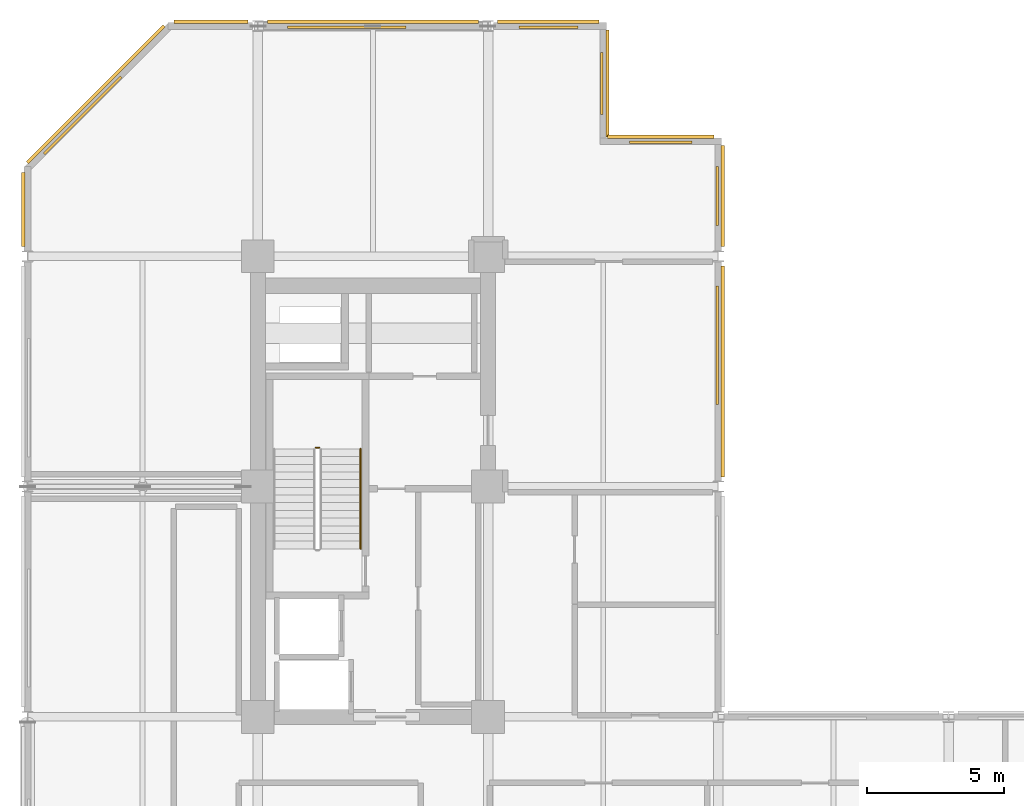
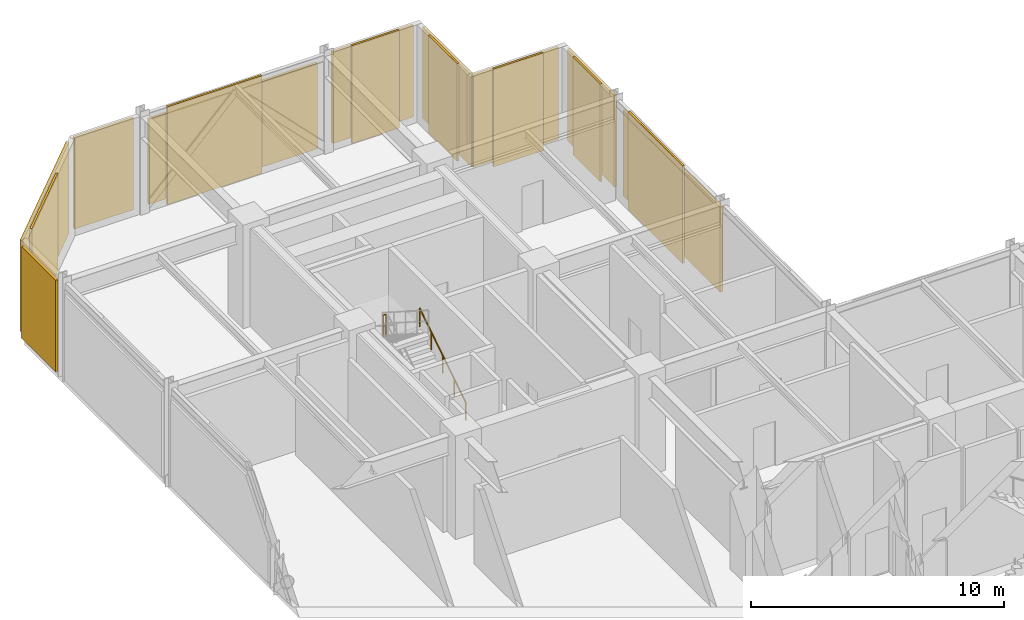
# One storey, part 10 of 10: 9 shading devices, 7 coverings, 2 railings.
"""IFC4 building model written with IfcOpenShell, lengths in metres."""

from ifc_helpers import new_model, si_unit, direction, frame, origin, origin_2d, place, context, subcontext, project, spatial, rectangle, circle, extrude, material, layer, layer_set, type_object, element, save


model = new_model("IFC4")

# Units and contexts
model_context = context("Model", 3, precision=1e-05, world=origin(), true_north=direction((0.0, 1.0)))
body_context = subcontext(model_context, "Body", "Model", "MODEL_VIEW")
ifc_project = project(units=[si_unit("LENGTHUNIT", "METRE"), si_unit("AREAUNIT", "SQUARE_METRE"), si_unit("VOLUMEUNIT", "CUBIC_METRE"), si_unit("PLANEANGLEUNIT", "RADIAN"), si_unit("MASSUNIT", "GRAM", prefix="KILO")], contexts=[model_context])

# Site, building, storey
site_placement = place(None, origin())
site = spatial("IfcSite", under=ifc_project, at=site_placement, CompositionType="ELEMENT")
building_placement = place(site_placement, origin())
building = spatial("IfcBuilding", under=site, at=building_placement, Name="Nerrivon Quay Data Exchange", CompositionType="ELEMENT")
storey_placement = place(building_placement, frame((0.0, 0.0, 162.300048828125)))
storey = spatial("IfcBuildingStorey", under=building, at=storey_placement, Name="L38", CompositionType="ELEMENT", Elevation=162.300048828125)

# Coverings
ifc_material_1 = material(Name="Architectural terracotta ceramic", Category="masonry")
ifc_layer_1 = layer(ifc_material_1, 0.090087890625)
ifc_layer_set_1 = layer_set([ifc_layer_1], Name="Architectural terracotta ceramic")
covering_type = type_object("IfcCoveringType", Name="COV-SCR-TERR", PredefinedType="CLADDING", material=ifc_layer_set_1)
covering_1_placement = place(storey_placement, frame((2.0078125, 47.144287109375, 0.0), z_axis=(0.0, 0.0, 1.0), x_axis=(0.707106781187, 0.707106781187, 0.0)))
element("IfcCovering", 1, at=covering_1_placement, inside=storey, type_object=covering_type, Name="L38 Perforated Terracotta SOLAR SCREEN Cassette", PredefinedType="CLADDING", context=body_context, shape_type="SweptSolid", body=[
    extrude(rectangle(XDim=3.970947265625, YDim=0.090087890625, at=origin_2d()), origin(), (0.0, 0.0, 1.0), 4.72509765625),
])
covering_2_placement = place(storey_placement, frame((11.639892578125, 50.35498046875, 0.0), z_axis=(0.0, 0.0, 1.0), x_axis=(1.0, 0.0, 0.0)))
element("IfcCovering", 2, at=covering_2_placement, inside=storey, type_object=covering_type, Name="L38 Perforated Terracotta SOLAR SCREEN Cassette", PredefinedType="CLADDING", context=body_context, shape_type="SweptSolid", body=[
    extrude(rectangle(XDim=4.320068359375, YDim=0.090087890625, at=origin_2d()), origin(), (0.0, 0.0, 1.0), 4.72509765625),
])
covering_3_placement = place(storey_placement, frame((19.0, 50.35498046875, 0.0), z_axis=(0.0, 0.0, 1.0), x_axis=(1.0, 0.0, 0.0)))
element("IfcCovering", 3, at=covering_3_placement, inside=storey, type_object=covering_type, Name="L38 Perforated Terracotta SOLAR SCREEN Cassette", PredefinedType="CLADDING", context=body_context, shape_type="SweptSolid", body=[
    extrude(rectangle(XDim=2.159912109375, YDim=0.090087890625, at=origin_2d()), origin(), (0.0, 0.0, 1.0), 4.72509765625),
])
for number, where, z_axis, x_axis, name in (
    (4, (20.955078125, 48.300048828125, 0.0), (0.0, 0.0, 1.0), (0.0, -1.0, 0.0), "L38 Perforated Terracotta SOLAR SCREEN Cassette"),
    (5, (23.10009765625, 46.155029296875, 0.0), (0.0, 0.0, 1.0), (1.0, 0.0, 0.0), "L38 Perforated Terracotta SOLAR SCREEN Cassette"),
):
    element("IfcCovering", number, at=place(storey_placement, frame(where, z_axis=z_axis, x_axis=x_axis)), inside=storey, type_object=covering_type, Name=name, PredefinedType="CLADDING", context=body_context, shape_type="SweptSolid", body=[
        extrude(rectangle(XDim=2.26806640625, YDim=0.090087890625, at=origin_2d()), origin(), (0.0, 0.0, 1.0), 4.72509765625),
    ])
covering_4_placement = place(storey_placement, frame((25.155029296875, 44.199951171875, 0.0), z_axis=(0.0, 0.0, 1.0), x_axis=(0.0, -1.0, 0.0)))
element("IfcCovering", 6, at=covering_4_placement, inside=storey, type_object=covering_type, Name="L38 Perforated Terracotta SOLAR SCREEN Cassette", PredefinedType="CLADDING", context=body_context, shape_type="SweptSolid", body=[
    extrude(rectangle(XDim=2.159912109375, YDim=0.090087890625, at=origin_2d()), origin(), (0.0, 0.0, 1.0), 4.72509765625),
])
covering_5_placement = place(storey_placement, frame((25.155029296875, 38.760009765625, 0.0), z_axis=(0.0, 0.0, 1.0), x_axis=(0.0, -1.0, 0.0)))
element("IfcCovering", 7, at=covering_5_placement, inside=storey, type_object=covering_type, Name="L38 Perforated Terracotta SOLAR SCREEN Cassette", PredefinedType="CLADDING", context=body_context, shape_type="SweptSolid", body=[
    extrude(rectangle(XDim=4.320068359375, YDim=0.090087890625, at=origin_2d()), origin(), (0.0, 0.0, 1.0), 4.72509765625),
])

# Railings
ifc_material_2 = material(Name="Steel Grade C350L0 (350 MPa)", Category="steel")
railing_type_1 = type_object("IfcRailingType", Name="RAIL-HAND-HR1", PredefinedType="HANDRAIL", material=ifc_material_2)
railing_1_placement = place(storey_placement, frame((12.14990234375, 31.330078125, 0.178466796875)))
element("IfcRailing", 8, at=railing_1_placement, inside=storey, type_object=railing_type_1, Name="L38 ST01 stair handrail 1", PredefinedType="HANDRAIL", context=body_context, shape_type="SweptSolid", body=[
    extrude(circle(Radius=0.02392578125, at=origin_2d()), frame((0.0, 0.0, 0.8759765625), z_axis=(0.0, 0.843111507901, 0.53773877045), x_axis=(-1.0, 0.0, 0.0)), (0.0, 0.0, 1.0), 4.317138671875),
    extrude(circle(Radius=0.02099609375, at=origin_2d()), origin(), (0.0, 0.0, 1.0), 0.851806640625),
    extrude(circle(Radius=0.02099609375, at=origin_2d()), frame((0.0, 0.909912109375, 0.580322265625)), (0.0, 0.0, 1.0), 0.851806640625),
    extrude(circle(Radius=0.02099609375, at=origin_2d()), frame((0.0, 1.81982421875, 1.16064453125)), (0.0, 0.0, 1.0), 0.851806640625),
    extrude(circle(Radius=0.02099609375, at=origin_2d()), frame((0.0, 2.72998046875, 1.7412109375)), (0.0, 0.0, 1.0), 0.851806640625),
    extrude(circle(Radius=0.02099609375, at=origin_2d()), frame((0.0, 3.639892578125, 2.321533203125)), (0.0, 0.0, 1.0), 0.851806640625),
])
railing_type_2 = type_object("IfcRailingType", Name="RAIL-STAIR-GR1", PredefinedType="BALUSTRADE", material=ifc_material_2)
railing_2_placement = place(storey_placement, frame((10.64990234375, 35.02001953125, 2.5)))
element("IfcRailing", 9, at=railing_2_placement, inside=storey, type_object=railing_type_2, Name="L38 ST01 stair guard 2", PredefinedType="BALUSTRADE", context=body_context, shape_type="SweptSolid", body=[
    extrude(circle(Radius=0.02392578125, at=origin_2d()), frame((0.0, 0.0, 1.076171875), z_axis=(-1.0, 0.0, 0.0), x_axis=(0.0, -1.0, 0.0)), (0.0, 0.0, 1.0), 0.14990234375),
    extrude(circle(Radius=0.02392578125, at=origin_2d()), frame((0.0, 0.0, 0.550048828125), z_axis=(-1.0, 0.0, 0.0), x_axis=(0.0, -1.0, 0.0)), (0.0, 0.0, 1.0), 0.14990234375),
    extrude(circle(Radius=0.02099609375, at=origin_2d()), origin(), (0.0, 0.0, 1.0), 1.052001953125),
    extrude(circle(Radius=0.02099609375, at=origin_2d()), frame((-0.14990234375, 0.0, 0.0)), (0.0, 0.0, 1.0), 1.052001953125),
])

# Shading devices
ifc_material_3 = material(Name="Anodised aluminium 6063-T6", Category="aluminium")
ifc_layer_2 = layer(ifc_material_3, 0.1201171875)
ifc_layer_set_2 = layer_set([ifc_layer_2], Name="Anodised aluminium 6063-T6")
shading_device_type = type_object("IfcShadingDeviceType", Name="SHD-LOUV-LV01", PredefinedType="JALOUSIE", material=ifc_layer_set_2)
shading_device_1_placement = place(storey_placement, frame((-0.159912109375, 43.699951171875, 0.14990234375), z_axis=(0.0, 0.0, 1.0), x_axis=(0.0, 1.0, 0.0)))
element("IfcShadingDevice", 10, at=shading_device_1_placement, inside=storey, type_object=shading_device_type, Name="L38 Acoustic Plant Louvre LV01-16", PredefinedType="JALOUSIE", context=body_context, shape_type="SweptSolid", body=[
    extrude(rectangle(XDim=2.699951171875, YDim=0.1201171875, at=origin_2d()), origin(), (0.0, 0.0, 1.0), 4.425048828125),
])
shading_device_2_placement = place(storey_placement, frame((2.48681640625, 47.9130859375, 0.14990234375), z_axis=(0.0, 0.0, 1.0), x_axis=(0.707106781187, 0.707106781187, 0.0)))
element("IfcShadingDevice", 11, at=shading_device_2_placement, inside=storey, type_object=shading_device_type, Name="L38 Acoustic Plant Louvre LV01-17", PredefinedType="JALOUSIE", context=body_context, shape_type="SweptSolid", body=[
    extrude(rectangle(XDim=7.053955078125, YDim=0.1201171875, at=origin_2d()), origin(), (0.0, 0.0, 1.0), 4.425048828125),
])
shading_device_3_placement = place(storey_placement, frame((6.699951171875, 50.56005859375, 0.14990234375), z_axis=(0.0, 0.0, 1.0), x_axis=(1.0, 0.0, 0.0)))
element("IfcShadingDevice", 12, at=shading_device_3_placement, inside=storey, type_object=shading_device_type, Name="L38 Acoustic Plant Louvre LV01-18", PredefinedType="JALOUSIE", context=body_context, shape_type="SweptSolid", body=[
    extrude(rectangle(XDim=2.699951171875, YDim=0.1201171875, at=origin_2d()), origin(), (0.0, 0.0, 1.0), 4.425048828125),
])
shading_device_4_placement = place(storey_placement, frame((12.60009765625, 50.56005859375, 0.14990234375), z_axis=(0.0, 0.0, 1.0), x_axis=(1.0, 0.0, 0.0)))
element("IfcShadingDevice", 13, at=shading_device_4_placement, inside=storey, type_object=shading_device_type, Name="L38 Acoustic Plant Louvre LV01-19", PredefinedType="JALOUSIE", context=body_context, shape_type="SweptSolid", body=[
    extrude(rectangle(XDim=7.699951171875, YDim=0.1201171875, at=origin_2d()), origin(), (0.0, 0.0, 1.0), 4.125),
])
shading_device_5_placement = place(storey_placement, frame((19.0, 50.56005859375, 0.14990234375), z_axis=(0.0, 0.0, 1.0), x_axis=(1.0, 0.0, 0.0)))
element("IfcShadingDevice", 14, at=shading_device_5_placement, inside=storey, type_object=shading_device_type, Name="L38 Acoustic Plant Louvre LV01-20", PredefinedType="JALOUSIE", context=body_context, shape_type="SweptSolid", body=[
    extrude(rectangle(XDim=3.699951171875, YDim=0.1201171875, at=origin_2d()), origin(), (0.0, 0.0, 1.0), 4.425048828125),
])
for number, where, z_axis, x_axis, name in (
    (15, (21.159912109375, 48.300048828125, 0.14990234375), (0.0, 0.0, 1.0), (0.0, -1.0, 0.0), "L38 Acoustic Plant Louvre LV01-21"),
    (16, (23.10009765625, 46.360107421875, 0.14990234375), (0.0, 0.0, 1.0), (1.0, 0.0, 0.0), "L38 Acoustic Plant Louvre LV01-22"),
):
    element("IfcShadingDevice", number, at=place(storey_placement, frame(where, z_axis=z_axis, x_axis=x_axis)), inside=storey, type_object=shading_device_type, Name=name, PredefinedType="JALOUSIE", context=body_context, shape_type="SweptSolid", body=[
        extrude(rectangle(XDim=3.89990234375, YDim=0.1201171875, at=origin_2d()), origin(), (0.0, 0.0, 1.0), 4.425048828125),
    ])
shading_device_6_placement = place(storey_placement, frame((25.360107421875, 44.199951171875, 0.14990234375), z_axis=(0.0, 0.0, 1.0), x_axis=(0.0, -1.0, 0.0)))
element("IfcShadingDevice", 17, at=shading_device_6_placement, inside=storey, type_object=shading_device_type, Name="L38 Acoustic Plant Louvre LV01-23", PredefinedType="JALOUSIE", context=body_context, shape_type="SweptSolid", body=[
    extrude(rectangle(XDim=3.699951171875, YDim=0.1201171875, at=origin_2d()), origin(), (0.0, 0.0, 1.0), 4.425048828125),
])
shading_device_7_placement = place(storey_placement, frame((25.360107421875, 37.800048828125, 0.14990234375), z_axis=(0.0, 0.0, 1.0), x_axis=(0.0, -1.0, 0.0)))
element("IfcShadingDevice", 18, at=shading_device_7_placement, inside=storey, type_object=shading_device_type, Name="L38 Acoustic Plant Louvre LV01-24", PredefinedType="JALOUSIE", context=body_context, shape_type="SweptSolid", body=[
    extrude(rectangle(XDim=7.699951171875, YDim=0.1201171875, at=origin_2d()), origin(), (0.0, 0.0, 1.0), 4.125),
])

save(model, "model.ifc")
